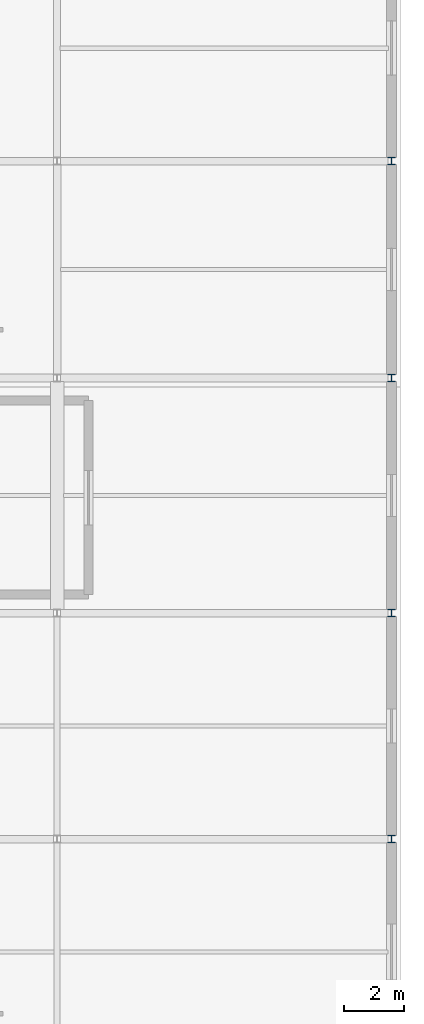
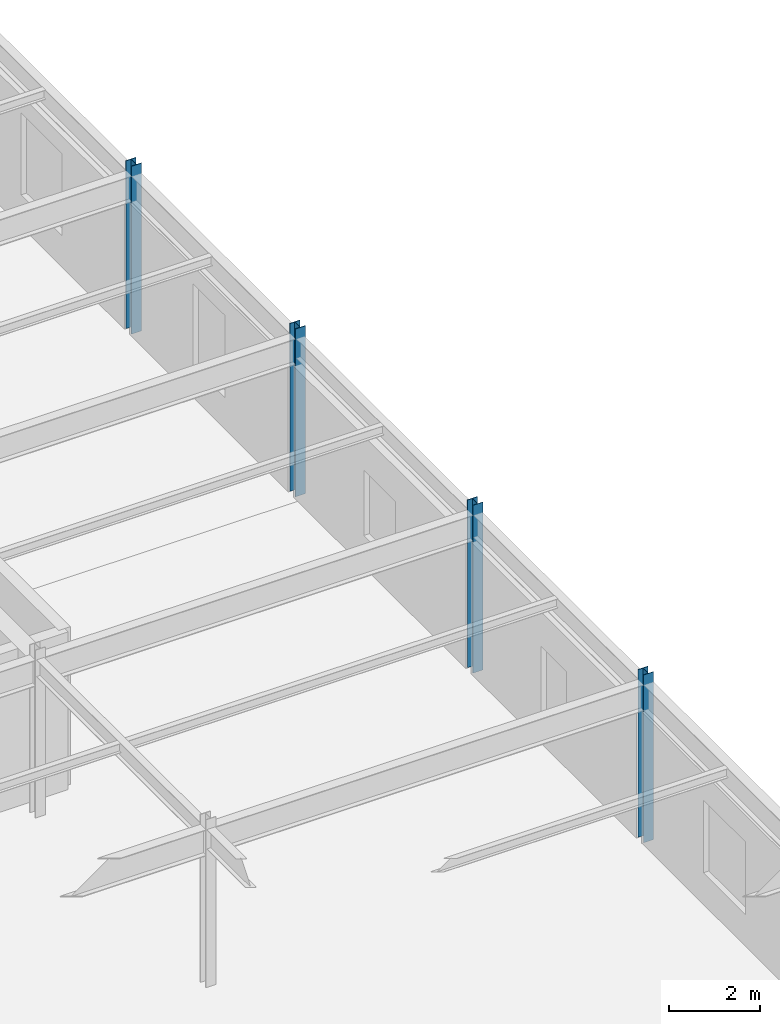
# One storey, part 21 of 112: 4 columns.
"""IFC4 building model written with IfcOpenShell, lengths in metres."""

from ifc_helpers import new_model, si_unit, direction, frame, origin, origin_2d, place, context, subcontext, project, spatial, i_section, extrude, material, material_profile, profile_set, type_object, element, save


model = new_model("IFC4")

# Units and contexts
model_context = context("Model", 3, precision=1e-05, world=origin(), true_north=direction((0.0, 1.0)))
body_context = subcontext(model_context, "Body", "Model", "MODEL_VIEW")
ifc_project = project(units=[si_unit("LENGTHUNIT", "METRE"), si_unit("AREAUNIT", "SQUARE_METRE"), si_unit("VOLUMEUNIT", "CUBIC_METRE"), si_unit("PLANEANGLEUNIT", "RADIAN"), si_unit("MASSUNIT", "GRAM", prefix="KILO")], contexts=[model_context])

# Site, building, storey
site_placement = place(None, origin())
site = spatial("IfcSite", under=ifc_project, at=site_placement, CompositionType="ELEMENT")
building_placement = place(site_placement, origin())
building = spatial("IfcBuilding", under=site, at=building_placement, Name="Cinderbank Siding Concert Hall", CompositionType="ELEMENT")
storey_placement = place(building_placement, frame((0.0, 0.0, 10.199951171875)))
storey = spatial("IfcBuildingStorey", under=building, at=storey_placement, Name="L03", CompositionType="ELEMENT", Elevation=10.199951171875)

# Columns
ifc_material = material(Name="Structural steel AS/NZS 3679.1 Grade 350 (340 MPa)", Category="steel")
ifc_material_profile_1 = material_profile(ifc_material, i_section(OverallWidth=0.25390625, OverallDepth=0.25390625, WebThickness=0.008544921875, FlangeThickness=0.01416015625, at=origin_2d()), Name="250UC72.9", Category="LoadBearing")
ifc_profile_set_1 = profile_set([ifc_material_profile_1], Name="Structural steel AS/NZS 3679.1 Grade 350 (340 MPa)")
column_type_1 = type_object("IfcColumnType", Name="C-UC250 250UC72.9", PredefinedType="COLUMN", material=ifc_profile_set_1)
for number, where, z_axis, x_axis, name in (
    (1, (172.89990234375, 73.300048828125, 0.0), (0.0, 0.0, 1.0), (1.0, 0.0, 0.0), "L03 Column COL-EL-3-2"),
    (2, (172.89990234375, 80.800048828125, 0.0), (0.0, 0.0, 1.0), (1.0, 0.0, 0.0), "L03 Column COL-EL-3-3"),
):
    element("IfcColumn", number, at=place(storey_placement, frame(where, z_axis=z_axis, x_axis=x_axis)), inside=storey, type_object=column_type_1, Name=name, PredefinedType="COLUMN", context=body_context, shape_type="SweptSolid", body=[
        extrude(i_section(OverallWidth=0.25390625, OverallDepth=0.25390625, WebThickness=0.008544921875, FlangeThickness=0.01416015625, at=origin_2d()), origin(), (0.0, 0.0, 1.0), 4.5),
    ])
ifc_material_profile_2 = material_profile(ifc_material, i_section(OverallWidth=0.256103515625, OverallDepth=0.260009765625, WebThickness=0.010498046875, FlangeThickness=0.017333984375, at=origin_2d()), Name="250UC89.5", Category="LoadBearing")
ifc_profile_set_2 = profile_set([ifc_material_profile_2], Name="Structural steel AS/NZS 3679.1 Grade 350 (340 MPa)")
column_type_2 = type_object("IfcColumnType", Name="C-UC250H 250UC89.5", PredefinedType="COLUMN", material=ifc_profile_set_2)
for number, where, z_axis, x_axis, name in (
    (3, (172.89990234375, 88.60009765625, 0.0), (0.0, 0.0, 1.0), (1.0, 0.0, 0.0), "L03 Column COL-V3-6-1"),
    (4, (172.89990234375, 95.800048828125, 0.0), (0.0, 0.0, 1.0), (1.0, 0.0, 0.0), "L03 Column COL-V3-6-2"),
):
    element("IfcColumn", number, at=place(storey_placement, frame(where, z_axis=z_axis, x_axis=x_axis)), inside=storey, type_object=column_type_2, Name=name, PredefinedType="COLUMN", context=body_context, shape_type="SweptSolid", body=[
        extrude(i_section(OverallWidth=0.256103515625, OverallDepth=0.260009765625, WebThickness=0.010498046875, FlangeThickness=0.017333984375, at=origin_2d()), origin(), (0.0, 0.0, 1.0), 4.5),
    ])

save(model, "model.ifc")
